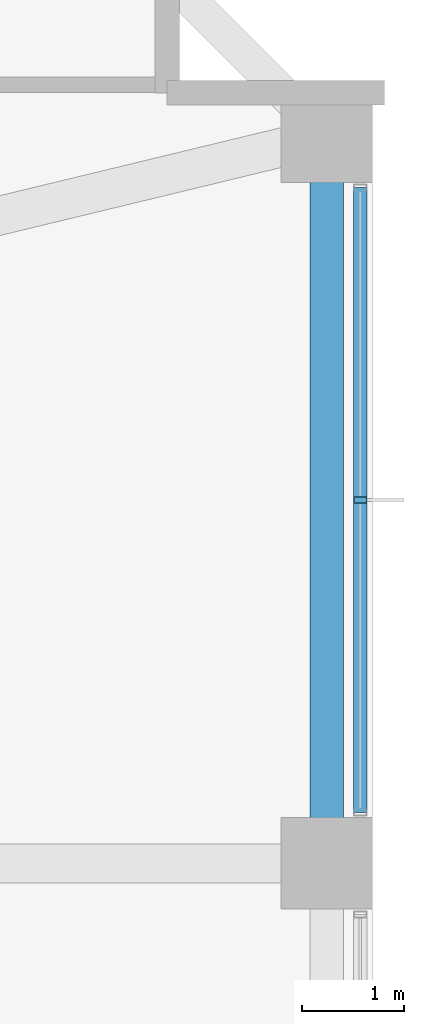
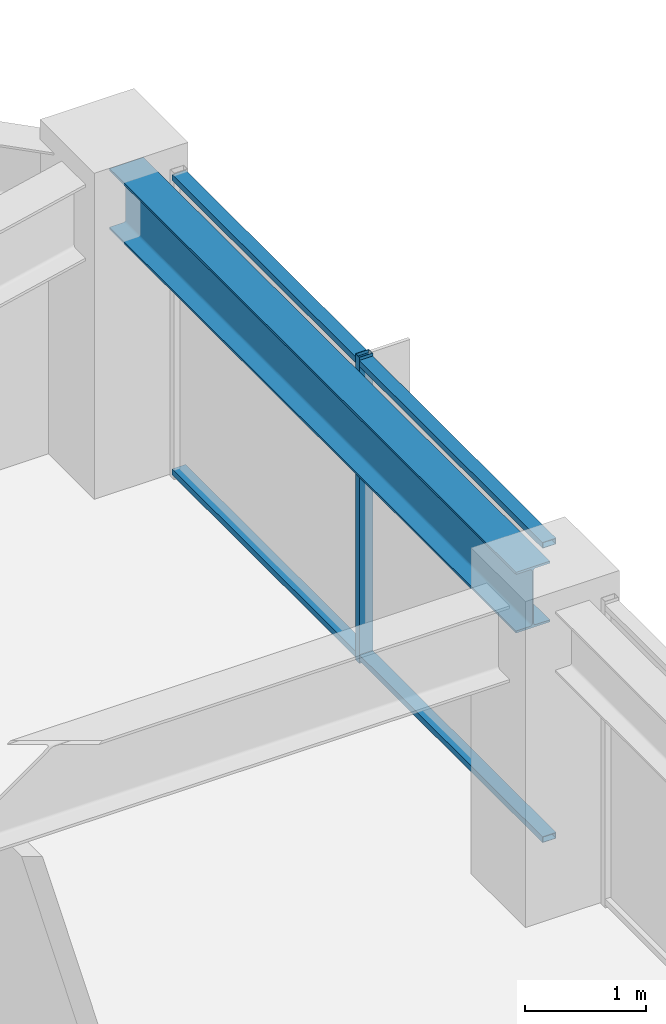
# One storey, part 15 of 31: 3 members, 1 beam, 1 element without a shape of its own.
"""IFC4 building model written with IfcOpenShell, lengths in metres."""

from ifc_helpers import new_model, si_unit, direction, frame, origin, origin_2d, place, context, subcontext, project, spatial, hollow_rectangle, i_section, extrude, material, material_profile, profile_set, type_object, element, aggregate, save


model = new_model("IFC4")

# Units and contexts
model_context = context("Model", 3, precision=1e-05, world=origin(), true_north=direction((0.0, 1.0)))
body_context = subcontext(model_context, "Body", "Model", "MODEL_VIEW")
ifc_project = project(units=[si_unit("LENGTHUNIT", "METRE"), si_unit("AREAUNIT", "SQUARE_METRE"), si_unit("VOLUMEUNIT", "CUBIC_METRE"), si_unit("PLANEANGLEUNIT", "RADIAN"), si_unit("MASSUNIT", "GRAM", prefix="KILO")], contexts=[model_context])

# Site, building, storey
site_placement = place(None, origin())
site = spatial("IfcSite", under=ifc_project, at=site_placement, CompositionType="ELEMENT")
building_placement = place(site_placement, origin())
building = spatial("IfcBuilding", under=site, at=building_placement, Name="Kolvaren Belvedere", CompositionType="ELEMENT")
storey_placement = place(building_placement, frame((0.0, 0.0, 134.89990234375)))
storey = spatial("IfcBuildingStorey", under=building, at=storey_placement, Name="L39", CompositionType="ELEMENT", Elevation=134.89990234375)

# Beam
ifc_material_1 = material(Name="Structural steel ASTM A992 Grade 50", Category="steel")
ifc_material_profile_1 = material_profile(ifc_material_1, i_section(OverallWidth=0.324951171875, OverallDepth=0.615966796875, WebThickness=0.013916015625, FlangeThickness=0.021484375, FilletRadius=0.02001953125, at=origin_2d()), Name="W24X117")
ifc_profile_set_1 = profile_set([ifc_material_profile_1], Name="Structural steel ASTM A992 Grade 50")
beam_type = type_object("IfcBeamType", Name="BM-SPAN-W24X117", PredefinedType="SPANDREL", material=ifc_profile_set_1)
beam_placement = place(storey_placement, frame((17.550048828125, 4.802490234375, 2.7919921875), z_axis=(0.0, 1.0, 0.0), x_axis=(-1.0, 0.0, 0.0)))
element("IfcBeam", 1, at=beam_placement, inside=storey, type_object=beam_type, Name="L39 Perimeter Spandrel E3-E4", PredefinedType="SPANDREL", context=body_context, shape_type="SweptSolid", body=[
    extrude(i_section(OverallWidth=0.324951171875, OverallDepth=0.615966796875, WebThickness=0.013916015625, FlangeThickness=0.021484375, FilletRadius=0.02001953125, at=origin_2d()), origin(), (0.0, 0.0, 1.0), 6.7451171875),
])

# Curtain wall, members
ifc_material_2 = material(Name="Anodised pale-metal aluminium AA 6063-T6", Category="aluminium")
curtain_wall_type = type_object("IfcCurtainWallType", Name="CW-Z3-WAIST", PredefinedType="NOTDEFINED", material=ifc_material_2)
curtain_wall_placement = place(storey_placement, origin())
curtain_wall = element("IfcCurtainWall", 2, at=curtain_wall_placement, inside=storey, type_object=curtain_wall_type, Name="L39 Unitised Curtain Wall FCW-L39-E-B1", PredefinedType="NOTDEFINED")
ifc_material_3 = material(Name="Anodised pale-metal aluminium AA 6063-T6", Category="aluminium")
ifc_material_profile_2 = material_profile(ifc_material_3, hollow_rectangle(XDim=0.06494140625, YDim=0.1298828125, WallThickness=0.00390625, at=origin_2d()), Name="ALU-MUL-130X65")
ifc_profile_set_2 = profile_set([ifc_material_profile_2], Name="Anodised pale-metal aluminium AA 6063-T6")
member_type_1 = type_object("IfcMemberType", Name="CW-MUL-130", PredefinedType="MULLION", material=ifc_profile_set_2)
member_1_placement = place(storey_placement, frame((17.8798828125, 8.175048828125, 0.0), z_axis=(0.0, 0.0, 1.0), x_axis=(0.0, 1.0, 0.0)))
member_1 = element("IfcMember", 3, at=member_1_placement, type_object=member_type_1, Name="FCW-L39-E-B1 Unitised Mullion 2", PredefinedType="MULLION", context=body_context, shape_type="SweptSolid", body=[
    extrude(hollow_rectangle(XDim=0.06494140625, YDim=0.1298828125, WallThickness=0.00390625, at=origin_2d()), origin(), (0.0, 0.0, 1.0), 3.10009765625),
])
ifc_material_4 = material(Name="Anodised pale-metal aluminium AA 6063-T6", Category="aluminium")
ifc_material_profile_3 = material_profile(ifc_material_4, hollow_rectangle(XDim=0.06005859375, YDim=0.1298828125, WallThickness=0.00390625, at=origin_2d()), Name="ALU-TRN-130X60")
ifc_profile_set_3 = profile_set([ifc_material_profile_3], Name="Anodised pale-metal aluminium AA 6063-T6")
member_type_2 = type_object("IfcMemberType", Name="CW-TRN-130", PredefinedType="USERDEFINED", material=ifc_profile_set_3)
member_2_placement = place(storey_placement, frame((17.8798828125, 11.24755859375, 0.06005859375), z_axis=(0.0, -1.0, 0.0), x_axis=(0.0, 0.0, 1.0)))
member_2 = element("IfcMember", 4, at=member_2_placement, type_object=member_type_2, Name="FCW-L39-E-B1 Sill Transom", ObjectType="TRANSOM", PredefinedType="USERDEFINED", context=body_context, shape_type="SweptSolid", body=[
    extrude(hollow_rectangle(XDim=0.06005859375, YDim=0.1298828125, WallThickness=0.00390625, at=origin_2d()), origin(), (0.0, 0.0, 1.0), 6.14501953125),
])
member_3_placement = place(storey_placement, frame((17.8798828125, 11.24755859375, 3.0400390625), z_axis=(0.0, -1.0, 0.0), x_axis=(0.0, 0.0, 1.0)))
member_3 = element("IfcMember", 5, at=member_3_placement, type_object=member_type_2, Name="FCW-L39-E-B1 Head Transom", ObjectType="TRANSOM", PredefinedType="USERDEFINED", context=body_context, shape_type="SweptSolid", body=[
    extrude(hollow_rectangle(XDim=0.06005859375, YDim=0.1298828125, WallThickness=0.00390625, at=origin_2d()), origin(), (0.0, 0.0, 1.0), 6.14501953125),
])
aggregate(curtain_wall, [member_1, member_2, member_3])

save(model, "model.ifc")
